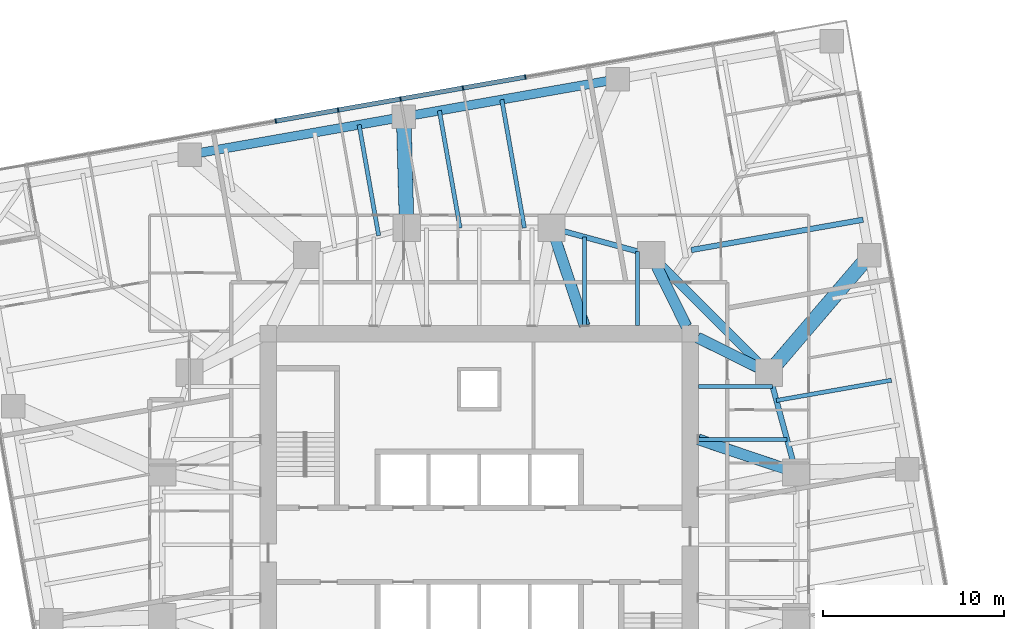
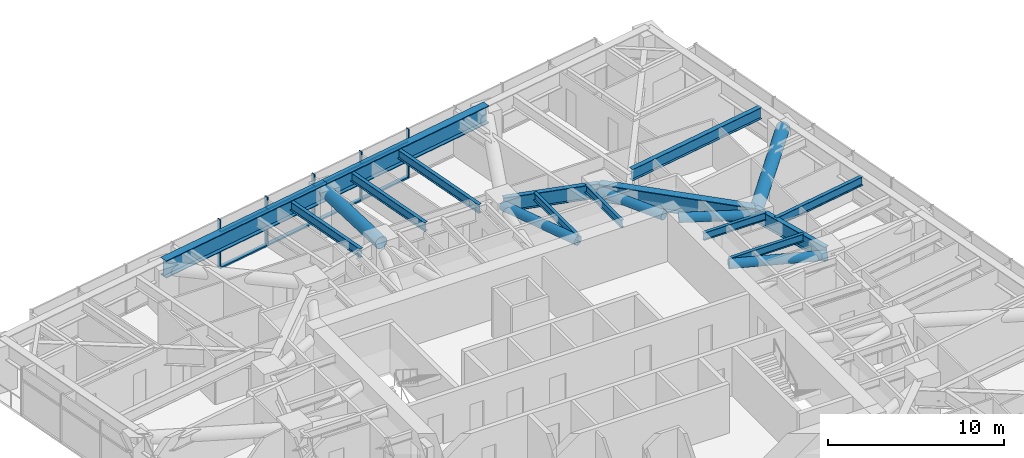
# One storey, part 7 of 17: 19 members, 14 beams, 1 element without a shape of its own.
"""IFC4 building model written with IfcOpenShell, lengths in metres."""

from ifc_helpers import new_model, si_unit, direction, frame, origin, origin_2d, place, context, subcontext, project, spatial, rectangle, hollow_circle, i_section, extrude, material, material_profile, profile_set, type_object, element, aggregate, save


model = new_model("IFC4")

# Units and contexts
model_context = context("Model", 3, precision=1e-05, world=origin(), true_north=direction((0.0, 1.0)))
body_context = subcontext(model_context, "Body", "Model", "MODEL_VIEW")
ifc_project = project(units=[si_unit("LENGTHUNIT", "METRE"), si_unit("AREAUNIT", "SQUARE_METRE"), si_unit("VOLUMEUNIT", "CUBIC_METRE"), si_unit("PLANEANGLEUNIT", "RADIAN"), si_unit("MASSUNIT", "GRAM", prefix="KILO")], contexts=[model_context])

# Site, building, storey
site_placement = place(None, origin())
site = spatial("IfcSite", under=ifc_project, at=site_placement, CompositionType="ELEMENT")
building_placement = place(site_placement, origin())
building = spatial("IfcBuilding", under=site, at=building_placement, Name="Torsade Residences", CompositionType="ELEMENT")
storey_placement = place(building_placement, frame((0.0, 0.0, 103.199951171875)))
storey = spatial("IfcBuildingStorey", under=building, at=storey_placement, Name="L28", CompositionType="ELEMENT", Elevation=103.199951171875)

# Curtain wall, members
ifc_material_1 = material(Name="Aluminium and glass", Category="aluminium")
curtain_wall_type = type_object("IfcCurtainWallType", Name="FRITTED GLASS CURTAIN WALL LOW ZONE", PredefinedType="NOTDEFINED", material=ifc_material_1)
curtain_wall_placement = place(storey_placement, origin())
curtain_wall = element("IfcCurtainWall", 1, at=curtain_wall_placement, inside=storey, type_object=curtain_wall_type, Name="Curtain wall L28 face 7", PredefinedType="NOTDEFINED")
ifc_material_2 = material(Name="Aluminium mullion", Category="aluminium")
ifc_material_profile_1 = material_profile(ifc_material_2, rectangle(XDim=0.25, YDim=0.06494140625, at=origin_2d()), Name="CURTAIN WALL MULLION 250x65")
ifc_profile_set_1 = profile_set([ifc_material_profile_1], Name="Aluminium mullion")
member_type_1 = type_object("IfcMemberType", Name="CURTAIN WALL MULLION 250x65", PredefinedType="MULLION", material=ifc_profile_set_1)
member_1_placement = place(storey_placement, frame((42.552490234375, 55.835693359375, 0.0), z_axis=(0.0, 0.0, 1.0), x_axis=(0.173648192638, -0.984807750372, 0.0)))
member_1 = element("IfcMember", 2, at=member_1_placement, type_object=member_type_1, Name="Mullion 5", PredefinedType="MULLION", context=body_context, shape_type="SweptSolid", body=[
    extrude(rectangle(XDim=0.25, YDim=0.06494140625, at=origin_2d()), origin(), (0.0, 0.0, 1.0), 3.400146484375),
])
member_2_placement = place(storey_placement, frame((39.105712890625, 55.22802734375, 0.0), z_axis=(0.0, 0.0, 1.0), x_axis=(0.173648192638, -0.984807750372, 0.0)))
member_2 = element("IfcMember", 3, at=member_2_placement, type_object=member_type_1, Name="Mullion 6", PredefinedType="MULLION", context=body_context, shape_type="SweptSolid", body=[
    extrude(rectangle(XDim=0.25, YDim=0.06494140625, at=origin_2d()), origin(), (0.0, 0.0, 1.0), 3.400146484375),
])
member_3_placement = place(storey_placement, frame((35.65869140625, 54.6201171875, 0.0), z_axis=(0.0, 0.0, 1.0), x_axis=(0.173648192638, -0.984807750372, 0.0)))
member_3 = element("IfcMember", 4, at=member_3_placement, type_object=member_type_1, Name="Mullion 7", PredefinedType="MULLION", context=body_context, shape_type="SweptSolid", body=[
    extrude(rectangle(XDim=0.25, YDim=0.06494140625, at=origin_2d()), origin(), (0.0, 0.0, 1.0), 3.400146484375),
])
member_4_placement = place(storey_placement, frame((32.2119140625, 54.012451171875, 0.0), z_axis=(0.0, 0.0, 1.0), x_axis=(0.173648192638, -0.984807750372, 0.0)))
member_4 = element("IfcMember", 5, at=member_4_placement, type_object=member_type_1, Name="Mullion 8", PredefinedType="MULLION", context=body_context, shape_type="SweptSolid", body=[
    extrude(rectangle(XDim=0.25, YDim=0.06494140625, at=origin_2d()), origin(), (0.0, 0.0, 1.0), 3.400146484375),
])
member_5_placement = place(storey_placement, frame((28.76513671875, 53.404541015625, 0.0), z_axis=(0.0, 0.0, 1.0), x_axis=(0.173648192638, -0.984807750372, 0.0)))
member_5 = element("IfcMember", 6, at=member_5_placement, type_object=member_type_1, Name="Mullion 9", PredefinedType="MULLION", context=body_context, shape_type="SweptSolid", body=[
    extrude(rectangle(XDim=0.25, YDim=0.06494140625, at=origin_2d()), origin(), (0.0, 0.0, 1.0), 3.400146484375),
])
ifc_material_3 = material(Name="Aluminium transom", Category="aluminium")
ifc_material_profile_2 = material_profile(ifc_material_3, rectangle(XDim=0.25, YDim=0.10009765625, at=origin_2d()), Name="CURTAIN WALL TRANSOM 250x100")
ifc_profile_set_2 = profile_set([ifc_material_profile_2], Name="Aluminium transom")
member_type_2 = type_object("IfcMemberType", Name="CURTAIN WALL TRANSOM 250x100", PredefinedType="USERDEFINED", material=ifc_profile_set_2)
member_6_placement = place(storey_placement, frame((42.5205078125, 55.830078125, 0.050048828125), z_axis=(-0.984810021497, -0.17363531196, 0.0), x_axis=(0.17363531196, -0.984810021497, 0.0)))
member_6 = element("IfcMember", 7, at=member_6_placement, type_object=member_type_2, Name="Transom 5.1", ObjectType="TRANSOM", PredefinedType="USERDEFINED", context=body_context, shape_type="SweptSolid", body=[
    extrude(rectangle(XDim=0.25, YDim=0.10009765625, at=origin_2d()), origin(), (0.0, 0.0, 1.0), 3.43505859375),
])
member_7_placement = place(storey_placement, frame((42.5205078125, 55.830078125, 2.550048828125), z_axis=(-0.984810021497, -0.17363531196, 0.0), x_axis=(0.17363531196, -0.984810021497, 0.0)))
member_7 = element("IfcMember", 8, at=member_7_placement, type_object=member_type_2, Name="Transom 5.2", ObjectType="TRANSOM", PredefinedType="USERDEFINED", context=body_context, shape_type="SweptSolid", body=[
    extrude(rectangle(XDim=0.25, YDim=0.10009765625, at=origin_2d()), origin(), (0.0, 0.0, 1.0), 3.43505859375),
])
member_8_placement = place(storey_placement, frame((39.07373046875, 55.222412109375, 0.050048828125), z_axis=(-0.98479786563, -0.173704242465, 0.0), x_axis=(0.173704242465, -0.98479786563, 0.0)))
member_8 = element("IfcMember", 9, at=member_8_placement, type_object=member_type_2, Name="Transom 6.1", ObjectType="TRANSOM", PredefinedType="USERDEFINED", context=body_context, shape_type="SweptSolid", body=[
    extrude(rectangle(XDim=0.25, YDim=0.10009765625, at=origin_2d()), origin(), (0.0, 0.0, 1.0), 3.43505859375),
])
member_9_placement = place(storey_placement, frame((39.07373046875, 55.222412109375, 2.550048828125), z_axis=(-0.98479786563, -0.173704242465, 0.0), x_axis=(0.173704242465, -0.98479786563, 0.0)))
member_9 = element("IfcMember", 10, at=member_9_placement, type_object=member_type_2, Name="Transom 6.2", ObjectType="TRANSOM", PredefinedType="USERDEFINED", context=body_context, shape_type="SweptSolid", body=[
    extrude(rectangle(XDim=0.25, YDim=0.10009765625, at=origin_2d()), origin(), (0.0, 0.0, 1.0), 3.43505859375),
])
member_10_placement = place(storey_placement, frame((35.626708984375, 54.614501953125, 0.050048828125), z_axis=(-0.984810021497, -0.17363531196, 0.0), x_axis=(0.17363531196, -0.984810021497, 0.0)))
member_10 = element("IfcMember", 11, at=member_10_placement, type_object=member_type_2, Name="Transom 7.1", ObjectType="TRANSOM", PredefinedType="USERDEFINED", context=body_context, shape_type="SweptSolid", body=[
    extrude(rectangle(XDim=0.25, YDim=0.10009765625, at=origin_2d()), origin(), (0.0, 0.0, 1.0), 3.43505859375),
])
member_11_placement = place(storey_placement, frame((35.626708984375, 54.614501953125, 2.550048828125), z_axis=(-0.984810021497, -0.17363531196, 0.0), x_axis=(0.17363531196, -0.984810021497, 0.0)))
member_11 = element("IfcMember", 12, at=member_11_placement, type_object=member_type_2, Name="Transom 7.2", ObjectType="TRANSOM", PredefinedType="USERDEFINED", context=body_context, shape_type="SweptSolid", body=[
    extrude(rectangle(XDim=0.25, YDim=0.10009765625, at=origin_2d()), origin(), (0.0, 0.0, 1.0), 3.43505859375),
])
member_12_placement = place(storey_placement, frame((32.179931640625, 54.0068359375, 0.050048828125), z_axis=(-0.984810021497, -0.17363531196, 0.0), x_axis=(0.17363531196, -0.984810021497, 0.0)))
member_12 = element("IfcMember", 13, at=member_12_placement, type_object=member_type_2, Name="Transom 8.1", ObjectType="TRANSOM", PredefinedType="USERDEFINED", context=body_context, shape_type="SweptSolid", body=[
    extrude(rectangle(XDim=0.25, YDim=0.10009765625, at=origin_2d()), origin(), (0.0, 0.0, 1.0), 3.43505859375),
])
member_13_placement = place(storey_placement, frame((32.179931640625, 54.0068359375, 2.550048828125), z_axis=(-0.984810021497, -0.17363531196, 0.0), x_axis=(0.17363531196, -0.984810021497, 0.0)))
member_13 = element("IfcMember", 14, at=member_13_placement, type_object=member_type_2, Name="Transom 8.2", ObjectType="TRANSOM", PredefinedType="USERDEFINED", context=body_context, shape_type="SweptSolid", body=[
    extrude(rectangle(XDim=0.25, YDim=0.10009765625, at=origin_2d()), origin(), (0.0, 0.0, 1.0), 3.43505859375),
])
aggregate(curtain_wall, [member_1, member_2, member_3, member_4, member_5, member_6, member_7, member_8, member_9, member_10, member_11, member_12, member_13])

# Beams
ifc_material_4 = material(Name="Steel grade 300", Category="steel")
ifc_material_profile_3 = material_profile(ifc_material_4, i_section(OverallWidth=0.208984375, OverallDepth=0.528076171875, WebThickness=0.009521484375, FlangeThickness=0.01318359375, FilletRadius=0.013916015625, at=origin_2d()), Name="530UB82.0")
ifc_profile_set_3 = profile_set([ifc_material_profile_3], Name="Steel grade 300")
beam_type_1 = type_object("IfcBeamType", Name="INNER FLOOR BEAM 530UB82.0", PredefinedType="JOIST", material=ifc_profile_set_3)
beam_1_placement = place(storey_placement, frame((45.824951171875, 42.10009765625, 2.93603515625), z_axis=(0.0, 1.0, 0.0), x_axis=(-1.0, 0.0, 0.0)))
element("IfcBeam", 15, at=beam_1_placement, inside=storey, type_object=beam_type_1, Name="Inner floor beam IN06 L29", PredefinedType="JOIST", context=body_context, shape_type="SweptSolid", body=[
    extrude(i_section(OverallWidth=0.208984375, OverallDepth=0.528076171875, WebThickness=0.009521484375, FlangeThickness=0.01318359375, FilletRadius=0.013916015625, at=origin_2d()), origin(), (0.0, 0.0, 1.0), 4.902099609375),
])
beam_2_placement = place(storey_placement, frame((48.737548828125, 42.10009765625, 2.93603515625), z_axis=(0.0, 1.0, 0.0), x_axis=(-1.0, 0.0, 0.0)))
element("IfcBeam", 16, at=beam_2_placement, inside=storey, type_object=beam_type_1, Name="Inner floor beam IN07 L29", PredefinedType="JOIST", context=body_context, shape_type="SweptSolid", body=[
    extrude(i_section(OverallWidth=0.208984375, OverallDepth=0.528076171875, WebThickness=0.009521484375, FlangeThickness=0.01318359375, FilletRadius=0.013916015625, at=origin_2d()), origin(), (0.0, 0.0, 1.0), 4.10791015625),
])
beam_3_placement = place(storey_placement, frame((52.10009765625, 35.824951171875, 2.93603515625), z_axis=(1.0, 0.0, 0.0), x_axis=(0.0, 1.0, 0.0)))
element("IfcBeam", 17, at=beam_3_placement, inside=storey, type_object=beam_type_1, Name="Inner floor beam IE06 L29", PredefinedType="JOIST", context=body_context, shape_type="SweptSolid", body=[
    extrude(i_section(OverallWidth=0.208984375, OverallDepth=0.528076171875, WebThickness=0.009521484375, FlangeThickness=0.01318359375, FilletRadius=0.013916015625, at=origin_2d()), origin(), (0.0, 0.0, 1.0), 4.902099609375),
])
beam_4_placement = place(storey_placement, frame((52.10009765625, 38.737548828125, 2.93603515625), z_axis=(1.0, 0.0, 0.0), x_axis=(0.0, 1.0, 0.0)))
element("IfcBeam", 18, at=beam_4_placement, inside=storey, type_object=beam_type_1, Name="Inner floor beam IE07 L29", PredefinedType="JOIST", context=body_context, shape_type="SweptSolid", body=[
    extrude(i_section(OverallWidth=0.208984375, OverallDepth=0.528076171875, WebThickness=0.009521484375, FlangeThickness=0.01318359375, FilletRadius=0.013916015625, at=origin_2d()), origin(), (0.0, 0.0, 1.0), 4.10791015625),
])
ifc_material_5 = material(Name="Steel grade 300", Category="steel")
ifc_material_profile_4 = material_profile(ifc_material_5, i_section(OverallWidth=0.5, OverallDepth=1.199951171875, WebThickness=0.01611328125, FlangeThickness=0.0400390625, at=origin_2d()), Name="1200WB455")
ifc_profile_set_4 = profile_set([ifc_material_profile_4], Name="Steel grade 300")
beam_type_2 = type_object("IfcBeamType", Name="RING CORNER GIRDER 1200WB455", PredefinedType="BEAM", material=ifc_profile_set_4)
beam_5_placement = place(storey_placement, frame((56.0, 39.5, 2.60009765625), z_axis=(-0.707106781187, 0.707106781187, 0.0), x_axis=(-0.707106781187, -0.707106781187, 0.0)))
element("IfcBeam", 19, at=beam_5_placement, inside=storey, type_object=beam_type_2, Name="Ring girder IR03 L29", PredefinedType="BEAM", context=body_context, shape_type="SweptSolid", body=[
    extrude(i_section(OverallWidth=0.5, OverallDepth=1.199951171875, WebThickness=0.01611328125, FlangeThickness=0.0400390625, at=origin_2d()), origin(), (0.0, 0.0, 1.0), 9.1923828125),
])
ifc_material_6 = material(Name="Steel grade 300", Category="steel")
ifc_material_profile_5 = material_profile(ifc_material_6, i_section(OverallWidth=0.300048828125, OverallDepth=1.0, WebThickness=0.01611328125, FlangeThickness=0.028076171875, at=origin_2d()), Name="1000WB215")
ifc_profile_set_5 = profile_set([ifc_material_profile_5], Name="Steel grade 300")
beam_type_3 = type_object("IfcBeamType", Name="RING GIRDER 1000WB215", PredefinedType="BEAM", material=ifc_profile_set_5)
for number, where, z_axis, x_axis, name in (
    (20, (57.5, 34.0, 2.699951171875), (-0.263117405792, 0.964763821238, 0.0), (-0.964763821238, -0.263117405792, 0.0), "Ring girder IR02 L29"),
    (21, (49.5, 46.0, 2.699951171875), (-0.964763821238, 0.263117405792, 0.0), (-0.263117405792, -0.964763821238, 0.0), "Ring girder IR04 L29"),
):
    element("IfcBeam", number, at=place(storey_placement, frame(where, z_axis=z_axis, x_axis=x_axis)), inside=storey, type_object=beam_type_3, Name=name, PredefinedType="BEAM", context=body_context, shape_type="SweptSolid", body=[
        extrude(i_section(OverallWidth=0.300048828125, OverallDepth=1.0, WebThickness=0.01611328125, FlangeThickness=0.028076171875, at=origin_2d()), origin(), (0.0, 0.0, 1.0), 5.700927734375),
    ])
ifc_material_7 = material(Name="Steel grade 300", Category="steel")
ifc_material_profile_6 = material_profile(ifc_material_7, i_section(OverallWidth=0.22900390625, OverallDepth=0.612060546875, WebThickness=0.011962890625, FlangeThickness=0.01953125, FilletRadius=0.013916015625, at=origin_2d()), Name="610UB125")
ifc_profile_set_6 = profile_set([ifc_material_profile_6], Name="Steel grade 300")
beam_type_4 = type_object("IfcBeamType", Name="SECONDARY BEAM 610UB125", PredefinedType="JOIST", material=ifc_profile_set_6)
beam_6_placement = place(storey_placement, frame((62.76708984375, 39.091552734375, 2.89404296875), z_axis=(-0.984810608823, -0.17363198078, 0.0), x_axis=(0.17363198078, -0.984810608823, 0.0)))
element("IfcBeam", 22, at=beam_6_placement, inside=storey, type_object=beam_type_4, Name="Floor beam FE08 L29", PredefinedType="JOIST", context=body_context, shape_type="SweptSolid", body=[
    extrude(i_section(OverallWidth=0.22900390625, OverallDepth=0.612060546875, WebThickness=0.011962890625, FlangeThickness=0.01953125, FilletRadius=0.013916015625, at=origin_2d()), origin(), (0.0, 0.0, 1.0), 6.4482421875),
])
beam_7_placement = place(storey_placement, frame((41.248779296875, 54.59033203125, 2.89404296875), z_axis=(0.173651855324, -0.984807104535, 0.0), x_axis=(0.984807104535, 0.173651855324, 0.0)))
element("IfcBeam", 23, at=beam_7_placement, inside=storey, type_object=beam_type_4, Name="Floor beam FN05 L29", PredefinedType="JOIST", context=body_context, shape_type="SweptSolid", body=[
    extrude(i_section(OverallWidth=0.22900390625, OverallDepth=0.612060546875, WebThickness=0.011962890625, FlangeThickness=0.01953125, FilletRadius=0.013916015625, at=origin_2d()), origin(), (0.0, 0.0, 1.0), 7.19970703125),
])
beam_8_placement = place(storey_placement, frame((37.802001953125, 53.982666015625, 2.89404296875), z_axis=(0.173647806501, -0.984807818459, 0.0), x_axis=(0.984807818459, 0.173647806501, 0.0)))
element("IfcBeam", 24, at=beam_8_placement, inside=storey, type_object=beam_type_4, Name="Floor beam FN06 L29", PredefinedType="JOIST", context=body_context, shape_type="SweptSolid", body=[
    extrude(i_section(OverallWidth=0.22900390625, OverallDepth=0.612060546875, WebThickness=0.011962890625, FlangeThickness=0.01953125, FilletRadius=0.013916015625, at=origin_2d()), origin(), (0.0, 0.0, 1.0), 6.582763671875),
])
beam_9_placement = place(storey_placement, frame((33.370361328125, 53.201171875, 2.89404296875), z_axis=(0.173655425542, -0.984806474989, 0.0), x_axis=(0.984806474989, 0.173655425542, 0.0)))
element("IfcBeam", 25, at=beam_9_placement, inside=storey, type_object=beam_type_4, Name="Floor beam FN07 L29", PredefinedType="JOIST", context=body_context, shape_type="SweptSolid", body=[
    extrude(i_section(OverallWidth=0.22900390625, OverallDepth=0.612060546875, WebThickness=0.011962890625, FlangeThickness=0.01953125, FilletRadius=0.013916015625, at=origin_2d()), origin(), (0.0, 0.0, 1.0), 6.21826171875),
])
ifc_material_8 = material(Name="Steel grade 300", Category="steel")
ifc_material_profile_7 = material_profile(ifc_material_8, i_section(OverallWidth=0.300048828125, OverallDepth=0.800048828125, WebThickness=0.010009765625, FlangeThickness=0.02001953125, at=origin_2d()), Name="800WB146")
ifc_profile_set_7 = profile_set([ifc_material_profile_7], Name="Steel grade 300")
beam_type_5 = type_object("IfcBeamType", Name="SECONDARY BEAM 800WB146", PredefinedType="JOIST", material=ifc_profile_set_7)
beam_10_placement = place(storey_placement, frame((61.204345703125, 47.954833984375, 2.800048828125), z_axis=(-0.984809307086, -0.173639363846, 0.0), x_axis=(0.173639363846, -0.984809307086, 0.0)))
element("IfcBeam", 26, at=beam_10_placement, inside=storey, type_object=beam_type_5, Name="Floor beam FE10 L29", PredefinedType="JOIST", context=body_context, shape_type="SweptSolid", body=[
    extrude(i_section(OverallWidth=0.300048828125, OverallDepth=0.800048828125, WebThickness=0.010009765625, FlangeThickness=0.02001953125, at=origin_2d()), origin(), (0.0, 0.0, 1.0), 9.636962890625),
])

# Members
ifc_material_9 = material(Name="Steel grade 450", Category="steel")
ifc_material_profile_8 = material_profile(ifc_material_9, hollow_circle(Radius=0.304931640625, WallThickness=0.01611328125, at=origin_2d()), Name="610.0x16.0CHS")
ifc_profile_set_8 = profile_set([ifc_material_profile_8], Name="Steel grade 450")
member_type_3 = type_object("IfcMemberType", Name="TRANSFER FLOOR BRACE 610.0x16.0CHS", PredefinedType="BRACE", material=ifc_profile_set_8)
member_14_placement = place(storey_placement, frame((57.5, 34.0, 2.60009765625), z_axis=(-0.946855969774, 0.319999474368, 0.032620682203), x_axis=(-0.320169867513, -0.947360151124, 0.0)))
element("IfcMember", 27, at=member_14_placement, inside=storey, type_object=member_type_3, Name="Transfer floor brace TT3 bottom IR02IE06", PredefinedType="BRACE", context=body_context, shape_type="SweptSolid", body=[
    extrude(hollow_circle(Radius=0.304931640625, WallThickness=0.01611328125, at=origin_2d()), origin(), (0.0, 0.0, 1.0), 5.702880859375),
])
for number, where, z_axis, x_axis, name in (
    (28, (56.0, 39.5, 2.60009765625), (-0.896469701914, 0.443105036702, 0.0), (-0.443105036702, -0.896469701914, 0.0), "Transfer floor brace TT3 bottom IR03C"),
    (29, (49.5, 46.0, 2.60009765625), (0.443105036702, -0.896469701914, 0.0), (0.896469701914, 0.443105036702, 0.0), "Transfer floor brace TT3 bottom IR04C"),
):
    element("IfcMember", number, at=place(storey_placement, frame(where, z_axis=z_axis, x_axis=x_axis)), inside=storey, type_object=member_type_3, Name=name, PredefinedType="BRACE", context=body_context, shape_type="SweptSolid", body=[
        extrude(hollow_circle(Radius=0.304931640625, WallThickness=0.01611328125, at=origin_2d()), origin(), (0.0, 0.0, 1.0), 4.40234375),
    ])
member_15_placement = place(storey_placement, frame((44.0, 47.5, 2.60009765625), z_axis=(0.319999474368, -0.946855969774, 0.032620682203), x_axis=(0.947360151124, 0.320169867513, 0.0)))
element("IfcMember", 30, at=member_15_placement, inside=storey, type_object=member_type_3, Name="Transfer floor brace TT3 bottom IR05IN06", PredefinedType="BRACE", context=body_context, shape_type="SweptSolid", body=[
    extrude(hollow_circle(Radius=0.304931640625, WallThickness=0.01611328125, at=origin_2d()), origin(), (0.0, 0.0, 1.0), 5.702880859375),
])
ifc_material_10 = material(Name="Steel grade 450", Category="steel")
ifc_material_profile_9 = material_profile(ifc_material_10, hollow_circle(Radius=0.406494140625, WallThickness=0.02490234375, at=origin_2d()), Name="813.0x25.0CHS")
ifc_profile_set_9 = profile_set([ifc_material_profile_9], Name="Steel grade 450")
member_type_4 = type_object("IfcMemberType", Name="TRANSFER FLOOR STRUT 813.0x25.0CHS", PredefinedType="STRUT", material=ifc_profile_set_9)
member_16_placement = place(storey_placement, frame((61.551513671875, 45.9853515625, 2.800048828125), z_axis=(-0.650294298415, -0.759682384585, 0.0), x_axis=(0.759682384585, -0.650294298415, 0.0)))
element("IfcMember", 31, at=member_16_placement, inside=storey, type_object=member_type_4, Name="Transfer floor strut TT3 bottom 08IR03", PredefinedType="STRUT", context=body_context, shape_type="SweptSolid", body=[
    extrude(hollow_circle(Radius=0.406494140625, WallThickness=0.02490234375, at=origin_2d()), origin(), (0.0, 0.0, 1.0), 8.536865234375),
])
member_17_placement = place(storey_placement, frame((35.83251953125, 53.635498046875, 2.800048828125), z_axis=(0.027286799774, -0.999627645955, 0.0), x_axis=(0.999627645955, 0.027286799774, 0.0)))
element("IfcMember", 32, at=member_17_placement, inside=storey, type_object=member_type_4, Name="Transfer floor strut TT3 bottom 11IR06", PredefinedType="STRUT", context=body_context, shape_type="SweptSolid", body=[
    extrude(hollow_circle(Radius=0.406494140625, WallThickness=0.02490234375, at=origin_2d()), origin(), (0.0, 0.0, 1.0), 6.1376953125),
])

# Beams
ifc_material_11 = material(Name="Steel grade 350", Category="steel")
ifc_material_profile_10 = material_profile(ifc_material_11, i_section(OverallWidth=0.5, OverallDepth=1.199951171875, WebThickness=0.031982421875, FlangeThickness=0.050048828125, at=origin_2d()), Name="1200x500x50x32WPG")
ifc_profile_set_10 = profile_set([ifc_material_profile_10], Name="Steel grade 350")
beam_type_6 = type_object("IfcBeamType", Name="TRANSFER TRUSS CHORD 1200x500x50x32WPG", PredefinedType="USERDEFINED", material=ifc_profile_set_10)
beam_11_placement = place(storey_placement, frame((47.650146484375, 55.71923828125, 2.800048828125), z_axis=(-0.984808127031, -0.173646056486, 0.0), x_axis=(0.173646056486, -0.984808127031, 0.0)))
element("IfcBeam", 33, at=beam_11_placement, inside=storey, type_object=beam_type_6, Name="Transfer truss TT3 bottom chord 10", ObjectType="TRANSFER TRUSS CHORD", PredefinedType="USERDEFINED", context=body_context, shape_type="SweptSolid", body=[
    extrude(i_section(OverallWidth=0.5, OverallDepth=1.199951171875, WebThickness=0.031982421875, FlangeThickness=0.050048828125, at=origin_2d()), origin(), (0.0, 0.0, 1.0), 12.0),
])
beam_12_placement = place(storey_placement, frame((35.83251953125, 53.635498046875, 2.800048828125), z_axis=(-0.984805261243, -0.173662308598, 0.0), x_axis=(0.173662308598, -0.984805261243, 0.0)))
element("IfcBeam", 34, at=beam_12_placement, inside=storey, type_object=beam_type_6, Name="Transfer truss TT3 bottom chord 11", ObjectType="TRANSFER TRUSS CHORD", PredefinedType="USERDEFINED", context=body_context, shape_type="SweptSolid", body=[
    extrude(i_section(OverallWidth=0.5, OverallDepth=1.199951171875, WebThickness=0.031982421875, FlangeThickness=0.050048828125, at=origin_2d()), origin(), (0.0, 0.0, 1.0), 12.000244140625),
])

save(model, "model.ifc")
